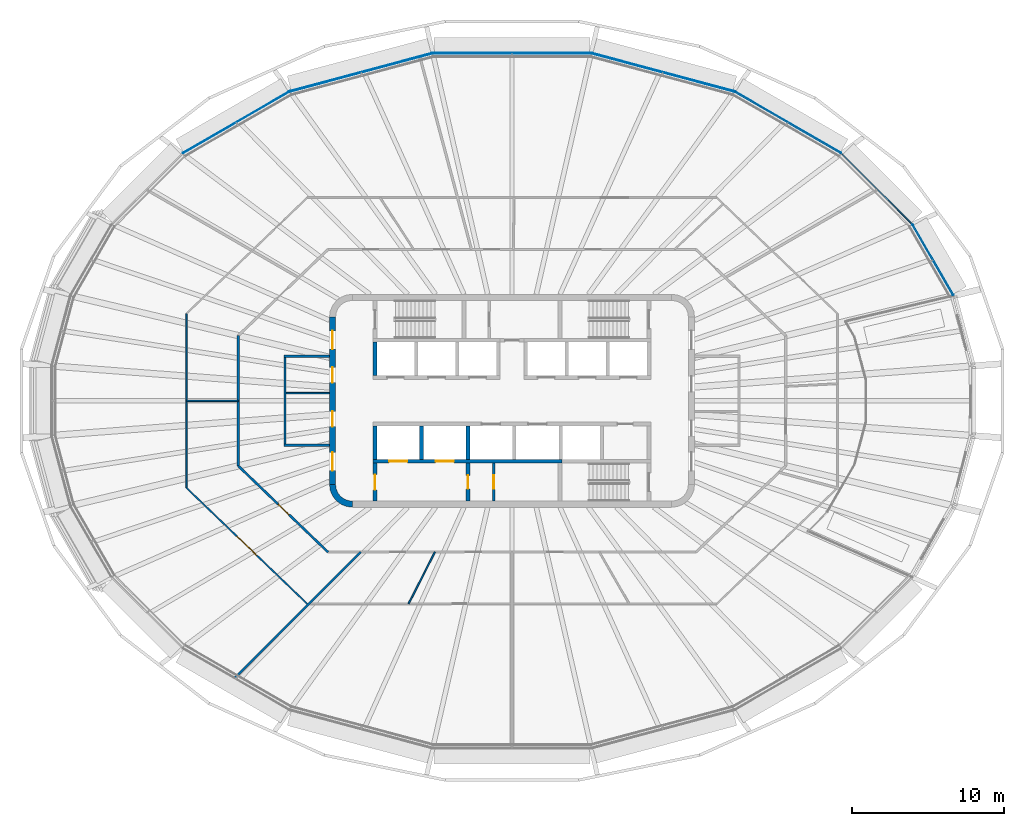
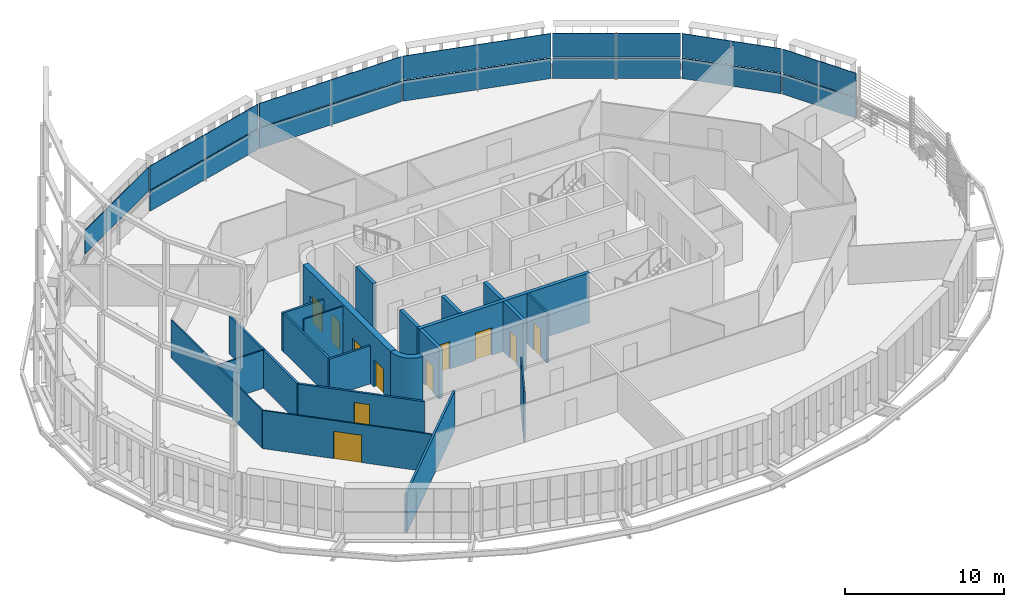
# One storey, part 9 of 21: 21 walls, 13 plates, 11 doors, 11 openings, 7 elements without a shape of their own.
"""IFC4 building model written with IfcOpenShell, lengths in metres."""

from ifc_helpers import new_model, si_unit, direction, frame, frame_2d, origin, place, context, subcontext, project, spatial, polyline, rectangle, outline, extrude, material, layer, layer_set, type_object, element, fill, aggregate, save


model = new_model("IFC4")

# Units and contexts
model_context = context("Model", 3, precision=1e-05, world=origin(), true_north=direction((0.0, 1.0)))
body_context = subcontext(model_context, "Body", "Model", "MODEL_VIEW")
ifc_project = project(units=[si_unit("LENGTHUNIT", "METRE"), si_unit("AREAUNIT", "SQUARE_METRE"), si_unit("VOLUMEUNIT", "CUBIC_METRE"), si_unit("PLANEANGLEUNIT", "RADIAN"), si_unit("MASSUNIT", "GRAM", prefix="KILO")], contexts=[model_context])

# Site, building, storey
site_placement = place(None, origin())
site = spatial("IfcSite", under=ifc_project, at=site_placement, CompositionType="ELEMENT")
building_placement = place(site_placement, origin())
building = spatial("IfcBuilding", under=site, at=building_placement, Name="Sahrelin Media Tower", CompositionType="ELEMENT")
storey_placement = place(building_placement, frame((0.0, 0.0, 259.0)))
storey = spatial("IfcBuildingStorey", under=building, at=storey_placement, Name="L56", CompositionType="ELEMENT", Elevation=259.0)

# Curtain wall, plate
ifc_material_1 = material(Name="Champagne anodised aluminium 6063-T6", Category="aluminium")
ifc_layer_1 = layer(ifc_material_1, 0.14990234375)
ifc_layer_set_1 = layer_set([ifc_layer_1], Name="Tower ribbon curtain wall")
curtain_wall_type = type_object("IfcCurtainWallType", Name="Tower ribbon curtain wall", PredefinedType="NOTDEFINED", material=ifc_layer_set_1)
curtain_wall_1_placement = place(storey_placement, frame((27.679443359375, 9.261474609375, 0.0), z_axis=(0.0, 0.0, 1.0), x_axis=(1.0, 0.0, 0.0)))
curtain_wall_1 = element("IfcCurtainWall", 1, at=curtain_wall_1_placement, inside=storey, type_object=curtain_wall_type, Name="L56:CW:L56-02", PredefinedType="NOTDEFINED")
ifc_material_2 = material(Name="Clear low-iron glazing", Category="glass")
ifc_layer_2 = layer(ifc_material_2, 0.048095703125)
ifc_layer_set_2 = layer_set([ifc_layer_2], Name="Glazing panel 48 mm CW1C")
plate_type_1 = type_object("IfcPlateType", Name="Glazing panel 48 mm CW1C", PredefinedType="CURTAIN_PANEL", material=ifc_layer_set_2)
plate_1_placement = place(storey_placement, frame((29.02978515625, 6.962890625, 1.6298828125), z_axis=(0.866022395588, 0.500005210312, 0.0), x_axis=(-0.500005210312, 0.866022395588, 0.0)))
plate_1 = element("IfcPlate", 2, at=plate_1_placement, type_object=plate_type_1, Name="L56:CWP2:L56-02", PredefinedType="CURTAIN_PANEL", context=body_context, shape_type="SweptSolid", body=[
    extrude(outline(polyline([(0.0, 0.0), (5.33154296875, 0.0), (5.33154296875, 1.818603515625), (0.0, 1.818603515625), (0.0, 0.0)])), origin(), (0.0, 0.0, -1.0), 0.048095703125),
])

curtain_wall_2_placement = place(storey_placement, frame((23.997314453125, 13.9375, 0.0), z_axis=(0.0, 0.0, 1.0), x_axis=(1.0, 0.0, 0.0)))
curtain_wall_2 = element("IfcCurtainWall", 3, at=curtain_wall_2_placement, inside=storey, type_object=curtain_wall_type, Name="L56:CW:L56-03", PredefinedType="NOTDEFINED")
plate_2_placement = place(storey_placement, frame((26.300537109375, 11.662841796875, 1.6298828125), z_axis=(0.707106781187, 0.707106781187, 0.0), x_axis=(-0.707106781187, 0.707106781187, 0.0)))
plate_2 = element("IfcPlate", 4, at=plate_2_placement, type_object=plate_type_1, Name="L56:CWP2:L56-03", PredefinedType="CURTAIN_PANEL", context=body_context, shape_type="SweptSolid", body=[
    extrude(outline(polyline([(0.0, 0.0), (6.47412109375, 0.0), (6.47412109375, 1.818603515625), (0.0, 1.818603515625), (0.0, 0.0)])), origin(), (0.0, 0.0, -1.0), 0.048095703125),
])

curtain_wall_3_placement = place(storey_placement, frame((18.14208984375, 18.300537109375, 0.0), z_axis=(0.0, 0.0, 1.0), x_axis=(1.0, 0.0, 0.0)))
curtain_wall_3 = element("IfcCurtainWall", 5, at=curtain_wall_3_placement, inside=storey, type_object=curtain_wall_type, Name="L56:CW:L56-04", PredefinedType="NOTDEFINED")
plate_3_placement = place(storey_placement, frame((21.639892578125, 16.30419921875, 1.6298828125), z_axis=(0.499998820369, 0.866026084844, 0.0), x_axis=(-0.866026084844, 0.499998820369, 0.0)))
plate_3 = element("IfcPlate", 6, at=plate_3_placement, type_object=plate_type_1, Name="L56:CWP2:L56-04", PredefinedType="CURTAIN_PANEL", context=body_context, shape_type="SweptSolid", body=[
    extrude(outline(polyline([(0.0, 0.0), (8.0546875, 0.0), (8.0546875, 1.818603515625), (0.0, 1.818603515625), (0.0, 0.0)])), origin(), (0.0, 0.0, -1.0), 0.048095703125),
])

curtain_wall_4_placement = place(storey_placement, frame((9.912109375, 21.598388671875, 0.0), z_axis=(0.0, 0.0, 1.0), x_axis=(1.0, 0.0, 0.0)))
curtain_wall_4 = element("IfcCurtainWall", 7, at=curtain_wall_4_placement, inside=storey, type_object=curtain_wall_type, Name="L56:CW:L56-05", PredefinedType="NOTDEFINED")
plate_4_placement = place(storey_placement, frame((14.56787109375, 20.37158203125, 1.6298828125), z_axis=(0.258811278244, 0.965927907379, 0.0), x_axis=(-0.965927907379, 0.258811278244, 0.0)))
plate_4 = element("IfcPlate", 8, at=plate_4_placement, type_object=plate_type_1, Name="L56:CWP2:L56-05", PredefinedType="CURTAIN_PANEL", context=body_context, shape_type="SweptSolid", body=[
    extrude(outline(polyline([(0.0, 0.0), (9.62939453125, 0.0), (9.62939453125, 1.818603515625), (0.0, 1.818603515625), (0.0, 0.0)])), origin(), (0.0, 0.0, -1.0), 0.048095703125),
])

curtain_wall_5_placement = place(storey_placement, frame((0.0, 22.857421875, 0.0), z_axis=(0.0, 0.0, 1.0), x_axis=(1.0, 0.0, 0.0)))
curtain_wall_5 = element("IfcCurtainWall", 9, at=curtain_wall_5_placement, inside=storey, type_object=curtain_wall_type, Name="L56:CW:L56-06", PredefinedType="NOTDEFINED")
plate_5_placement = place(storey_placement, frame((5.1630859375, 22.87744140625, 1.6298828125), z_axis=(0.0, 1.0, 0.0), x_axis=(-1.0, 0.0, 0.0)))
plate_5 = element("IfcPlate", 10, at=plate_5_placement, type_object=plate_type_1, Name="L56:CWP2:L56-06", PredefinedType="CURTAIN_PANEL", context=body_context, shape_type="SweptSolid", body=[
    extrude(outline(polyline([(0.0, 0.0), (10.326171875, 0.0), (10.326171875, 1.818603515625), (0.0, 1.818603515625), (0.0, 0.0)])), origin(), (0.0, 0.0, -1.0), 0.048095703125),
])

curtain_wall_6_placement = place(storey_placement, frame((-9.912109375, 21.598388671875, 0.0), z_axis=(0.0, 0.0, 1.0), x_axis=(1.0, 0.0, 0.0)))
curtain_wall_6 = element("IfcCurtainWall", 11, at=curtain_wall_6_placement, inside=storey, type_object=curtain_wall_type, Name="L56:CW:L56-07", PredefinedType="NOTDEFINED")
plate_6_placement = place(storey_placement, frame((-5.2666015625, 22.86376953125, 1.6298828125), z_axis=(-0.258811278244, 0.965927907379, 0.0), x_axis=(-0.965927907379, -0.258811278244, 0.0)))
plate_6 = element("IfcPlate", 12, at=plate_6_placement, type_object=plate_type_1, Name="L56:CWP2:L56-07", PredefinedType="CURTAIN_PANEL", context=body_context, shape_type="SweptSolid", body=[
    extrude(outline(polyline([(0.0, 0.0), (9.62939453125, 0.0), (9.62939453125, 1.818603515625), (0.0, 1.818603515625), (0.0, 0.0)])), origin(), (0.0, 0.0, -1.0), 0.048095703125),
])

curtain_wall_7_placement = place(storey_placement, frame((-18.14208984375, 18.300537109375, 0.0), z_axis=(0.0, 0.0, 1.0), x_axis=(1.0, 0.0, 0.0)))
curtain_wall_7 = element("IfcCurtainWall", 13, at=curtain_wall_7_placement, inside=storey, type_object=curtain_wall_type, Name="L56:CW:L56-08", PredefinedType="NOTDEFINED")
plate_7_placement = place(storey_placement, frame((-14.664306640625, 20.33154296875, 1.6298828125), z_axis=(-0.499998820369, 0.866026084844, 0.0), x_axis=(-0.866026084844, -0.499998820369, 0.0)))
plate_7 = element("IfcPlate", 14, at=plate_7_placement, type_object=plate_type_1, Name="L56:CWP2:L56-08", PredefinedType="CURTAIN_PANEL", context=body_context, shape_type="SweptSolid", body=[
    extrude(outline(polyline([(0.0, 0.0), (8.0546875, 0.0), (8.0546875, 1.818603515625), (0.0, 1.818603515625), (0.0, 0.0)])), origin(), (0.0, 0.0, -1.0), 0.048095703125),
])
aggregate(curtain_wall_7, [plate_7])

# Plate
ifc_material_3 = material(Name="Insulated spandrel panel")
ifc_layer_3 = layer(ifc_material_3, 0.06005859375)
ifc_layer_set_3 = layer_set([ifc_layer_3], Name="Spandrel panel 60 mm CW1")
plate_type_2 = type_object("IfcPlateType", Name="Spandrel panel 60 mm CW1", PredefinedType="SHEET", material=ifc_layer_set_3)
plate_8_placement = place(storey_placement, frame((29.02978515625, 6.962890625, 0.0), z_axis=(0.866022395588, 0.500005210312, 0.0), x_axis=(-0.500005210312, 0.866022395588, 0.0)))
plate_8 = element("IfcPlate", 15, at=plate_8_placement, type_object=plate_type_2, Name="L56:CWP1:L56-02", PredefinedType="SHEET", context=body_context, shape_type="SweptSolid", body=[
    extrude(outline(polyline([(0.0, 0.0), (5.33154296875, 0.0), (5.33154296875, 1.570068359375), (0.0, 1.570068359375), (0.0, 0.0)])), origin(), (0.0, 0.0, -1.0), 0.06005859375),
])

aggregate(curtain_wall_1, [plate_8, plate_1])

plate_9_placement = place(storey_placement, frame((26.300537109375, 11.662841796875, 0.0), z_axis=(0.707106781187, 0.707106781187, 0.0), x_axis=(-0.707106781187, 0.707106781187, 0.0)))
plate_9 = element("IfcPlate", 16, at=plate_9_placement, type_object=plate_type_2, Name="L56:CWP1:L56-03", PredefinedType="SHEET", context=body_context, shape_type="SweptSolid", body=[
    extrude(outline(polyline([(0.0, 0.0), (6.47412109375, 0.0), (6.47412109375, 1.570068359375), (0.0, 1.570068359375), (0.0, 0.0)])), origin(), (0.0, 0.0, -1.0), 0.06005859375),
])

aggregate(curtain_wall_2, [plate_9, plate_2])

plate_10_placement = place(storey_placement, frame((21.639892578125, 16.30419921875, 0.0), z_axis=(0.499998820369, 0.866026084844, 0.0), x_axis=(-0.866026084844, 0.499998820369, 0.0)))
plate_10 = element("IfcPlate", 17, at=plate_10_placement, type_object=plate_type_2, Name="L56:CWP1:L56-04", PredefinedType="SHEET", context=body_context, shape_type="SweptSolid", body=[
    extrude(outline(polyline([(0.0, 0.0), (8.0546875, 0.0), (8.0546875, 1.570068359375), (0.0, 1.570068359375), (0.0, 0.0)])), origin(), (0.0, 0.0, -1.0), 0.06005859375),
])

aggregate(curtain_wall_3, [plate_10, plate_3])

plate_11_placement = place(storey_placement, frame((14.56787109375, 20.37158203125, 0.0), z_axis=(0.258811278244, 0.965927907379, 0.0), x_axis=(-0.965927907379, 0.258811278244, 0.0)))
plate_11 = element("IfcPlate", 18, at=plate_11_placement, type_object=plate_type_2, Name="L56:CWP1:L56-05", PredefinedType="SHEET", context=body_context, shape_type="SweptSolid", body=[
    extrude(outline(polyline([(0.0, 0.0), (9.62939453125, 0.0), (9.62939453125, 1.570068359375), (0.0, 1.570068359375), (0.0, 0.0)])), origin(), (0.0, 0.0, -1.0), 0.06005859375),
])

aggregate(curtain_wall_4, [plate_11, plate_4])

plate_12_placement = place(storey_placement, frame((5.1630859375, 22.87744140625, 0.0), z_axis=(0.0, 1.0, 0.0), x_axis=(-1.0, 0.0, 0.0)))
plate_12 = element("IfcPlate", 19, at=plate_12_placement, type_object=plate_type_2, Name="L56:CWP1:L56-06", PredefinedType="SHEET", context=body_context, shape_type="SweptSolid", body=[
    extrude(outline(polyline([(0.0, 0.0), (10.326171875, 0.0), (10.326171875, 1.570068359375), (0.0, 1.570068359375), (0.0, 0.0)])), origin(), (0.0, 0.0, -1.0), 0.06005859375),
])

aggregate(curtain_wall_5, [plate_12, plate_5])

plate_13_placement = place(storey_placement, frame((-5.2666015625, 22.86376953125, 0.0), z_axis=(-0.258811278244, 0.965927907379, 0.0), x_axis=(-0.965927907379, -0.258811278244, 0.0)))
plate_13 = element("IfcPlate", 20, at=plate_13_placement, type_object=plate_type_2, Name="L56:CWP1:L56-07", PredefinedType="SHEET", context=body_context, shape_type="SweptSolid", body=[
    extrude(outline(polyline([(0.0, 0.0), (9.62939453125, 0.0), (9.62939453125, 1.570068359375), (0.0, 1.570068359375), (0.0, 0.0)])), origin(), (0.0, 0.0, -1.0), 0.06005859375),
])

aggregate(curtain_wall_6, [plate_13, plate_6])

# Wall, openings, doors
ifc_material_4 = material(Name="Concrete C60/75", Category="concrete")
ifc_layer_4 = layer(ifc_material_4, 0.39990234375)
ifc_layer_set_4 = layer_set([ifc_layer_4], Name="Core wall 400")
wall_type_1 = type_object("IfcWallType", Name="Core wall 400", PredefinedType="SHEAR", material=ifc_layer_set_4)
wall_1_placement = place(storey_placement, frame((-11.800048828125, -5.5, 0.0), z_axis=(0.0, 0.0, 1.0), x_axis=(0.0, 1.0, 0.0)))
wall_1 = element("IfcWall", 21, at=wall_1_placement, inside=storey, type_object=wall_type_1, Name="Core wall W L56", PredefinedType="SHEAR", context=body_context, shape_type="SweptSolid", body=[
    extrude(rectangle(XDim=11.0, YDim=0.39990234375, at=frame_2d((5.5, 0.0))), origin(), (0.0, 0.0, 1.0), 4.0),
])
opening_1_placement = place(wall_1_placement, frame((3.800048828125, 0.0, 0.0)))
opening_1 = element("IfcOpeningElement", 22, at=opening_1_placement, cuts=wall_1, Name="Opening L56-D10", PredefinedType="OPENING", context=body_context, shape_type="SweptSolid", body=[
    extrude(rectangle(XDim=1.0, YDim=2.10009765625, at=frame_2d((0.5, 1.050048828125))), frame((0.0, 0.199951171875, 0.0), z_axis=(0.0, -1.0, 0.0), x_axis=(1.0, 0.0, 0.0)), (0.0, 0.0, 1.0), 0.39990234375),
])
opening_2_placement = place(wall_1_placement, frame((6.699951171875, 0.0, 0.0)))
opening_2 = element("IfcOpeningElement", 23, at=opening_2_placement, cuts=wall_1, Name="Opening L56-D11", PredefinedType="OPENING", context=body_context, shape_type="SweptSolid", body=[
    extrude(rectangle(XDim=1.0, YDim=2.10009765625, at=frame_2d((0.5, 1.050048828125))), frame((0.0, 0.199951171875, 0.0), z_axis=(0.0, -1.0, 0.0), x_axis=(1.0, 0.0, 0.0)), (0.0, 0.0, 1.0), 0.39990234375),
])
opening_3_placement = place(wall_1_placement, frame((0.89990234375, 0.0, 0.0)))
opening_3 = element("IfcOpeningElement", 24, at=opening_3_placement, cuts=wall_1, Name="Opening L56-D14", PredefinedType="OPENING", context=body_context, shape_type="SweptSolid", body=[
    extrude(rectangle(XDim=1.199951171875, YDim=2.10009765625, at=frame_2d((0.60009765625, 1.050048828125))), frame((0.0, 0.199951171875, 0.0), z_axis=(0.0, -1.0, 0.0), x_axis=(1.0, 0.0, 0.0)), (0.0, 0.0, 1.0), 0.39990234375),
])
opening_4_placement = place(wall_1_placement, frame((8.89990234375, 0.0, 0.0)))
opening_4 = element("IfcOpeningElement", 25, at=opening_4_placement, cuts=wall_1, Name="Opening L56-D15", PredefinedType="OPENING", context=body_context, shape_type="SweptSolid", body=[
    extrude(rectangle(XDim=1.199951171875, YDim=2.10009765625, at=frame_2d((0.60009765625, 1.050048828125))), frame((0.0, 0.199951171875, 0.0), z_axis=(0.0, -1.0, 0.0), x_axis=(1.0, 0.0, 0.0)), (0.0, 0.0, 1.0), 0.39990234375),
])
ifc_material_5 = material(Name="Steel fire door leaf", Category="steel")
door_type_1 = type_object("IfcDoorType", Name="Fire door 1000 x 2100 EI 60", OperationType="NOTDEFINED", PredefinedType="DOOR", material=ifc_material_5)
door_1_placement = place(opening_1_placement, origin())
door_1 = element("IfcDoor", 26, at=door_1_placement, inside=storey, type_object=door_type_1, Name="Core room door", OperationType="SINGLE_SWING_RIGHT", OverallHeight=2.10009765625, OverallWidth=1.0, PredefinedType="DOOR", context=body_context, shape_type="SweptSolid", body=[
    extrude(rectangle(XDim=1.0, YDim=2.10009765625, at=frame_2d((0.5, 1.050048828125))), frame((0.0, 0.02490234375, 0.0), z_axis=(0.0, -1.0, 0.0), x_axis=(1.0, 0.0, 0.0)), (0.0, 0.0, 1.0), 0.050048828125),
])
fill(opening_1, door_1)
door_2_placement = place(opening_2_placement, origin())
door_2 = element("IfcDoor", 27, at=door_2_placement, inside=storey, type_object=door_type_1, Name="Core room door", OperationType="SINGLE_SWING_RIGHT", OverallHeight=2.10009765625, OverallWidth=1.0, PredefinedType="DOOR", context=body_context, shape_type="SweptSolid", body=[
    extrude(rectangle(XDim=1.0, YDim=2.10009765625, at=frame_2d((0.5, 1.050048828125))), frame((0.0, 0.02490234375, 0.0), z_axis=(0.0, -1.0, 0.0), x_axis=(1.0, 0.0, 0.0)), (0.0, 0.0, 1.0), 0.050048828125),
])
fill(opening_2, door_2)
door_type_2 = type_object("IfcDoorType", Name="Lobby door 1200 x 2100 EI 60", OperationType="NOTDEFINED", PredefinedType="DOOR", material=ifc_material_5)
door_3_placement = place(opening_3_placement, origin())
door_3 = element("IfcDoor", 28, at=door_3_placement, inside=storey, type_object=door_type_2, Name="Lobby door", OperationType="SINGLE_SWING_LEFT", OverallHeight=2.10009765625, OverallWidth=1.199951171875, PredefinedType="DOOR", context=body_context, shape_type="SweptSolid", body=[
    extrude(rectangle(XDim=1.199951171875, YDim=2.10009765625, at=frame_2d((0.60009765625, 1.050048828125))), frame((0.0, 0.02490234375, 0.0), z_axis=(0.0, -1.0, 0.0), x_axis=(1.0, 0.0, 0.0)), (0.0, 0.0, 1.0), 0.050048828125),
])
fill(opening_3, door_3)
door_4_placement = place(opening_4_placement, origin())
door_4 = element("IfcDoor", 29, at=door_4_placement, inside=storey, type_object=door_type_2, Name="Lobby door", OperationType="SINGLE_SWING_LEFT", OverallHeight=2.10009765625, OverallWidth=1.199951171875, PredefinedType="DOOR", context=body_context, shape_type="SweptSolid", body=[
    extrude(rectangle(XDim=1.199951171875, YDim=2.10009765625, at=frame_2d((0.60009765625, 1.050048828125))), frame((0.0, 0.02490234375, 0.0), z_axis=(0.0, -1.0, 0.0), x_axis=(1.0, 0.0, 0.0)), (0.0, 0.0, 1.0), 0.050048828125),
])
fill(opening_4, door_4)

# Walls
wall_2_placement = place(storey_placement, origin())
element("IfcWall", 30, at=wall_2_placement, inside=storey, type_object=wall_type_1, Name="Core wall corner SW L56", PredefinedType="SHEAR", context=body_context, shape_type="SweptSolid", body=[
    extrude(outline(polyline([(-10.5, -7.0), (-10.5, -6.596435546875), (-10.78369140625, -6.55908203125), (-11.04833984375, -6.44970703125), (-11.275390625, -6.275390625), (-11.44970703125, -6.04833984375), (-11.55908203125, -5.78369140625), (-11.596435546875, -5.5), (-12.0, -5.5), (-11.948974609375, -5.88818359375), (-11.799072265625, -6.25), (-11.560791015625, -6.560791015625), (-11.25, -6.799072265625), (-10.88818359375, -6.948974609375), (-10.5, -7.0)])), origin(), (0.0, 0.0, 1.0), 4.0),
])
ifc_material_6 = material(Name="Fire-rated gypsum board partition")
ifc_layer_5 = layer(ifc_material_6, 0.10009765625)
ifc_layer_set_5 = layer_set([ifc_layer_5], Name="Fire-rated partition 100")
wall_type_2 = type_object("IfcWallType", Name="Fire-rated partition 100", PredefinedType="PARTITIONING", material=ifc_layer_set_5)
wall_3_placement = place(storey_placement, frame((-14.85009765625, 0.5, 0.0), z_axis=(0.0, 0.0, 1.0), x_axis=(1.0, 0.0, 0.0)))
element("IfcWall", 31, at=wall_3_placement, inside=storey, type_object=wall_type_2, Name="Core room partition", PredefinedType="PARTITIONING", context=body_context, shape_type="SweptSolid", body=[
    extrude(rectangle(XDim=2.85009765625, YDim=0.10009765625, at=frame_2d((1.425048828125, 0.0))), origin(), (0.0, 0.0, 1.0), 3.85009765625),
])

# Wall, opening, door
ifc_layer_6 = layer(ifc_material_6, 0.14990234375)
ifc_layer_set_6 = layer_set([ifc_layer_6], Name="Fire-rated partition 150")
wall_type_3 = type_object("IfcWallType", Name="Fire-rated partition 150", PredefinedType="PARTITIONING", material=ifc_layer_set_6)
wall_4_placement = place(storey_placement, frame((-1.199951171875, -6.60009765625, 0.0), z_axis=(0.0, 0.0, 1.0), x_axis=(0.0, 1.0, 0.0)))
wall_4 = element("IfcWall", 32, at=wall_4_placement, inside=storey, type_object=wall_type_3, Name="Core room fire partition", PredefinedType="PARTITIONING", context=body_context, shape_type="SweptSolid", body=[
    extrude(rectangle(XDim=2.5, YDim=0.14990234375, at=frame_2d((1.25, 0.0))), origin(), (0.0, 0.0, 1.0), 3.85009765625),
])
opening_5_placement = place(wall_4_placement, frame((0.800048828125, 0.0, 0.0)))
opening_5 = element("IfcOpeningElement", 33, at=opening_5_placement, cuts=wall_4, Name="Opening L56-D08", PredefinedType="OPENING", context=body_context, shape_type="SweptSolid", body=[
    extrude(rectangle(XDim=0.89990234375, YDim=2.10009765625, at=frame_2d((0.449951171875, 1.050048828125))), frame((0.0, 0.074951171875, 0.0), z_axis=(0.0, -1.0, 0.0), x_axis=(1.0, 0.0, 0.0)), (0.0, 0.0, 1.0), 0.14990234375),
])
door_type_3 = type_object("IfcDoorType", Name="Fire door 900 x 2100 EI 60", OperationType="NOTDEFINED", PredefinedType="DOOR", material=ifc_material_5)
door_5_placement = place(opening_5_placement, origin())
door_5 = element("IfcDoor", 34, at=door_5_placement, inside=storey, type_object=door_type_3, Name="Core room door", OperationType="SINGLE_SWING_RIGHT", OverallHeight=2.10009765625, OverallWidth=0.89990234375, PredefinedType="DOOR", context=body_context, shape_type="SweptSolid", body=[
    extrude(rectangle(XDim=0.89990234375, YDim=2.10009765625, at=frame_2d((0.449951171875, 1.050048828125))), frame((0.0, 0.02490234375, 0.0), z_axis=(0.0, -1.0, 0.0), x_axis=(1.0, 0.0, 0.0)), (0.0, 0.0, 1.0), 0.050048828125),
])
fill(opening_5, door_5)

# Walls
wall_5_placement = place(storey_placement, frame((-14.925048828125, -2.85009765625, 0.0), z_axis=(0.0, 0.0, 1.0), x_axis=(0.0, 1.0, 0.0)))
element("IfcWall", 35, at=wall_5_placement, inside=storey, type_object=wall_type_3, Name="Core room fire partition", PredefinedType="PARTITIONING", context=body_context, shape_type="SweptSolid", body=[
    extrude(rectangle(XDim=5.7001953125, YDim=0.14990234375, at=frame_2d((2.85009765625, 0.0))), origin(), (0.0, 0.0, 1.0), 2.918212890625),
])
for number, where, z_axis, x_axis, name in (
    (36, (-15.0, 2.925048828125, 0.0), (0.0, 0.0, 1.0), (1.0, 0.0, 0.0), "Core room fire partition"),
    (37, (-15.0, -2.925048828125, 0.0), (0.0, 0.0, 1.0), (1.0, 0.0, 0.0), "Core room fire partition"),
):
    element("IfcWall", number, at=place(storey_placement, frame(where, z_axis=z_axis, x_axis=x_axis)), inside=storey, type_object=wall_type_3, Name=name, PredefinedType="PARTITIONING", context=body_context, shape_type="SweptSolid", body=[
        extrude(rectangle(XDim=3.0, YDim=0.14990234375, at=frame_2d((1.5, 0.0))), origin(), (0.0, 0.0, 1.0), 2.918212890625),
    ])

# Wall, opening, door
wall_6_placement = place(storey_placement, frame((-18.0, -4.278076171875, 0.0), z_axis=(0.0, 0.0, 1.0), x_axis=(0.721290181137, -0.692633001376, 0.0)))
wall_6 = element("IfcWall", 38, at=wall_6_placement, inside=storey, type_object=wall_type_3, Name="Wall", PredefinedType="PARTITIONING", context=body_context, shape_type="SweptSolid", body=[
    extrude(rectangle(XDim=8.18701171875, YDim=0.14990234375, at=frame_2d((4.093505859375, 0.0))), origin(), (0.0, 0.0, 1.0), 2.918212890625),
])
opening_6_placement = place(wall_6_placement, frame((3.64501953125, 0.0, 0.0)))
opening_6 = element("IfcOpeningElement", 39, at=opening_6_placement, cuts=wall_6, Name="Opening L56-D26", PredefinedType="OPENING", context=body_context, shape_type="SweptSolid", body=[
    extrude(rectangle(XDim=1.0, YDim=2.10009765625, at=frame_2d((0.5, 1.050048828125))), frame((0.0, 0.074951171875, 0.0), z_axis=(0.0, -1.0, 0.0), x_axis=(1.0, 0.0, 0.0)), (0.0, 0.0, 1.0), 0.14990234375),
])
door_6_placement = place(opening_6_placement, origin())
door_6 = element("IfcDoor", 40, at=door_6_placement, inside=storey, type_object=door_type_1, Name="Fire door", OperationType="SINGLE_SWING_RIGHT", OverallHeight=2.10009765625, OverallWidth=1.0, PredefinedType="DOOR", context=body_context, shape_type="SweptSolid", body=[
    extrude(rectangle(XDim=1.0, YDim=2.10009765625, at=frame_2d((0.5, 1.050048828125))), frame((0.0, 0.02490234375, 0.0), z_axis=(0.0, -1.0, 0.0), x_axis=(1.0, 0.0, 0.0)), (0.0, 0.0, 1.0), 0.050048828125),
])
fill(opening_6, door_6)

# Walls
wall_7_placement = place(storey_placement, frame((-18.241943359375, -18.241943359375, 0.0), z_axis=(0.0, 0.0, 1.0), x_axis=(0.707106781187, 0.707106781187, 0.0)))
element("IfcWall", 41, at=wall_7_placement, inside=storey, type_object=wall_type_3, Name="Wall", PredefinedType="PARTITIONING", context=body_context, shape_type="SweptSolid", body=[
    extrude(rectangle(XDim=11.72802734375, YDim=0.14990234375, at=frame_2d((5.864013671875, 0.0))), origin(), (0.0, 0.0, 1.0), 2.9951171875),
])
wall_8_placement = place(storey_placement, frame((-18.0, -4.278076171875, 0.0), z_axis=(0.0, 0.0, 1.0), x_axis=(0.0, 1.0, 0.0)))
element("IfcWall", 42, at=wall_8_placement, inside=storey, type_object=wall_type_3, Name="Wall", PredefinedType="PARTITIONING", context=body_context, shape_type="SweptSolid", body=[
    extrude(rectangle(XDim=8.55615234375, YDim=0.14990234375, at=frame_2d((4.278076171875, 0.0))), origin(), (0.0, 0.0, 1.0), 2.918212890625),
])

# Wall, opening, door
ifc_layer_7 = layer(ifc_material_6, 0.25)
ifc_layer_set_7 = layer_set([ifc_layer_7], Name="Firefighting lobby wall 250")
wall_type_4 = type_object("IfcWallType", Name="Firefighting lobby wall 250", PredefinedType="PARTITIONING", material=ifc_layer_set_7)
wall_9_placement = place(storey_placement, frame((-9.0, -6.60009765625, 0.0), z_axis=(0.0, 0.0, 1.0), x_axis=(0.0, 1.0, 0.0)))
wall_9 = element("IfcWall", 43, at=wall_9_placement, inside=storey, type_object=wall_type_4, Name="Core wall", PredefinedType="PARTITIONING", context=body_context, shape_type="SweptSolid", body=[
    extrude(rectangle(XDim=2.5, YDim=0.25, at=frame_2d((1.25, 0.0))), origin(), (0.0, 0.0, 1.0), 3.85009765625),
])
opening_7_placement = place(wall_9_placement, frame((0.75, 0.0, 0.0)))
opening_7 = element("IfcOpeningElement", 44, at=opening_7_placement, cuts=wall_9, Name="Opening L56-D04", PredefinedType="OPENING", context=body_context, shape_type="SweptSolid", body=[
    extrude(rectangle(XDim=1.0, YDim=2.10009765625, at=frame_2d((0.5, 1.050048828125))), frame((0.0, 0.125, 0.0), z_axis=(0.0, -1.0, 0.0), x_axis=(1.0, 0.0, 0.0)), (0.0, 0.0, 1.0), 0.25),
])
door_type_4 = type_object("IfcDoorType", Name="Firefighting lobby door 1000 x 2100 EI 120", OperationType="NOTDEFINED", PredefinedType="DOOR", material=ifc_material_5)
door_7_placement = place(opening_7_placement, origin())
door_7 = element("IfcDoor", 45, at=door_7_placement, inside=storey, type_object=door_type_4, Name="Firefighting lobby door", OperationType="SINGLE_SWING_LEFT", OverallHeight=2.10009765625, OverallWidth=1.0, PredefinedType="DOOR", context=body_context, shape_type="SweptSolid", body=[
    extrude(rectangle(XDim=1.0, YDim=2.10009765625, at=frame_2d((0.5, 1.050048828125))), frame((0.0, 0.02490234375, 0.0), z_axis=(0.0, -1.0, 0.0), x_axis=(1.0, 0.0, 0.0)), (0.0, 0.0, 1.0), 0.050048828125),
])
fill(opening_7, door_7)

wall_10_placement = place(storey_placement, frame((-2.89990234375, -6.60009765625, 0.0), z_axis=(0.0, 0.0, 1.0), x_axis=(0.0, 1.0, 0.0)))
wall_10 = element("IfcWall", 46, at=wall_10_placement, inside=storey, type_object=wall_type_4, Name="Core wall", PredefinedType="PARTITIONING", context=body_context, shape_type="SweptSolid", body=[
    extrude(rectangle(XDim=2.5, YDim=0.25, at=frame_2d((1.25, 0.0))), origin(), (0.0, 0.0, 1.0), 3.85009765625),
])
opening_8_placement = place(wall_10_placement, frame((0.800048828125, 0.0, 0.0)))
opening_8 = element("IfcOpeningElement", 47, at=opening_8_placement, cuts=wall_10, Name="Opening L56-D05", PredefinedType="OPENING", context=body_context, shape_type="SweptSolid", body=[
    extrude(rectangle(XDim=0.89990234375, YDim=2.10009765625, at=frame_2d((0.449951171875, 1.050048828125))), frame((0.0, 0.125, 0.0), z_axis=(0.0, -1.0, 0.0), x_axis=(1.0, 0.0, 0.0)), (0.0, 0.0, 1.0), 0.25),
])
door_type_5 = type_object("IfcDoorType", Name="Firefighting lobby door 900 x 2100 EI 120", OperationType="NOTDEFINED", PredefinedType="DOOR", material=ifc_material_5)
door_8_placement = place(opening_8_placement, origin())
door_8 = element("IfcDoor", 48, at=door_8_placement, inside=storey, type_object=door_type_5, Name="Riser door", OperationType="SINGLE_SWING_RIGHT", OverallHeight=2.10009765625, OverallWidth=0.89990234375, PredefinedType="DOOR", context=body_context, shape_type="SweptSolid", body=[
    extrude(rectangle(XDim=0.89990234375, YDim=2.10009765625, at=frame_2d((0.449951171875, 1.050048828125))), frame((0.0, 0.02490234375, 0.0), z_axis=(0.0, -1.0, 0.0), x_axis=(1.0, 0.0, 0.0)), (0.0, 0.0, 1.0), 0.050048828125),
])
fill(opening_8, door_8)

# Wall
ifc_layer_8 = layer(ifc_material_4, 0.25)
ifc_layer_set_8 = layer_set([ifc_layer_8], Name="Lift shaft wall 250")
wall_type_5 = type_object("IfcWallType", Name="Lift shaft wall 250", PredefinedType="SOLIDWALL", material=ifc_layer_set_8)
wall_11_placement = place(storey_placement, frame((-9.0, 1.64990234375, 0.0), z_axis=(0.0, 0.0, 1.0), x_axis=(0.0, 1.0, 0.0)))
element("IfcWall", 49, at=wall_11_placement, inside=storey, type_object=wall_type_5, Name="Lift shaft wall", PredefinedType="SOLIDWALL", context=body_context, shape_type="SweptSolid", body=[
    extrude(rectangle(XDim=2.2001953125, YDim=0.25, at=frame_2d((1.10009765625, 0.0))), origin(), (0.0, 0.0, 1.0), 3.85009765625),
])

# Wall, openings, doors
wall_12_placement = place(storey_placement, frame((-9.125, -3.97509765625, 0.0), z_axis=(0.0, 0.0, 1.0), x_axis=(1.0, 0.0, 0.0)))
wall_12 = element("IfcWall", 50, at=wall_12_placement, inside=storey, type_object=wall_type_5, Name="Lift shaft wall", PredefinedType="SOLIDWALL", context=body_context, shape_type="SweptSolid", body=[
    extrude(rectangle(XDim=12.39990234375, YDim=0.25, at=frame_2d((6.199951171875, 0.0))), origin(), (0.0, 0.0, 1.0), 3.85009765625),
])
opening_9_placement = place(wall_12_placement, frame((1.050048828125, 0.0, 0.0)))
opening_9 = element("IfcOpeningElement", 51, at=opening_9_placement, cuts=wall_12, Name="Opening L56-LD-FF1", PredefinedType="OPENING", context=body_context, shape_type="SweptSolid", body=[
    extrude(rectangle(XDim=1.199951171875, YDim=2.10009765625, at=frame_2d((0.60009765625, 1.050048828125))), frame((0.0, 0.125, 0.0), z_axis=(0.0, -1.0, 0.0), x_axis=(1.0, 0.0, 0.0)), (0.0, 0.0, 1.0), 0.25),
])
opening_10_placement = place(wall_12_placement, frame((4.10009765625, 0.0, 0.0)))
opening_10 = element("IfcOpeningElement", 52, at=opening_10_placement, cuts=wall_12, Name="Opening L56-LD-FF2", PredefinedType="OPENING", context=body_context, shape_type="SweptSolid", body=[
    extrude(rectangle(XDim=1.199951171875, YDim=2.10009765625, at=frame_2d((0.60009765625, 1.050048828125))), frame((0.0, 0.125, 0.0), z_axis=(0.0, -1.0, 0.0), x_axis=(1.0, 0.0, 0.0)), (0.0, 0.0, 1.0), 0.25),
])
ifc_material_7 = material(Name="Stainless steel", Category="steel")
door_type_6 = type_object("IfcDoorType", Name="Lift landing door 1200 x 2100 EI 120", OperationType="DOUBLE_DOOR_SLIDING", PredefinedType="DOOR", material=ifc_material_7)
door_9_placement = place(opening_9_placement, origin())
door_9 = element("IfcDoor", 53, at=door_9_placement, inside=storey, type_object=door_type_6, Name="Lift landing door FF1", OperationType="DOUBLE_DOOR_SLIDING", OverallHeight=2.10009765625, OverallWidth=1.199951171875, PredefinedType="DOOR", context=body_context, shape_type="SweptSolid", body=[
    extrude(rectangle(XDim=1.199951171875, YDim=2.10009765625, at=frame_2d((0.60009765625, 1.050048828125))), frame((0.0, 0.02490234375, 0.0), z_axis=(0.0, -1.0, 0.0), x_axis=(1.0, 0.0, 0.0)), (0.0, 0.0, 1.0), 0.050048828125),
])
fill(opening_9, door_9)
door_10_placement = place(opening_10_placement, origin())
door_10 = element("IfcDoor", 54, at=door_10_placement, inside=storey, type_object=door_type_6, Name="Lift landing door FF2", OperationType="DOUBLE_DOOR_SLIDING", OverallHeight=2.10009765625, OverallWidth=1.199951171875, PredefinedType="DOOR", context=body_context, shape_type="SweptSolid", body=[
    extrude(rectangle(XDim=1.199951171875, YDim=2.10009765625, at=frame_2d((0.60009765625, 1.050048828125))), frame((0.0, 0.02490234375, 0.0), z_axis=(0.0, -1.0, 0.0), x_axis=(1.0, 0.0, 0.0)), (0.0, 0.0, 1.0), 0.050048828125),
])
fill(opening_10, door_10)

# Walls
for number, where, z_axis, x_axis, name in (
    (55, (-9.0, -3.85009765625, 0.0), (0.0, 0.0, 1.0), (0.0, 1.0, 0.0), "Lift shaft wall"),
    (56, (-5.949951171875, -3.85009765625, 0.0), (0.0, 0.0, 1.0), (0.0, 1.0, 0.0), "Lift shaft wall"),
    (57, (-2.89990234375, -3.85009765625, 0.0), (0.0, 0.0, 1.0), (0.0, 1.0, 0.0), "Lift shaft wall"),
):
    element("IfcWall", number, at=place(storey_placement, frame(where, z_axis=z_axis, x_axis=x_axis)), inside=storey, type_object=wall_type_5, Name=name, PredefinedType="SOLIDWALL", context=body_context, shape_type="SweptSolid", body=[
        extrude(rectangle(XDim=2.2001953125, YDim=0.25, at=frame_2d((1.10009765625, 0.0))), origin(), (0.0, 0.0, 1.0), 3.85009765625),
    ])

# Wall, opening, door
ifc_material_8 = material(Name="Gypsum board partition")
ifc_layer_9 = layer(ifc_material_8, 0.10009765625)
ifc_layer_set_9 = layer_set([ifc_layer_9], Name="Partition 100")
wall_type_6 = type_object("IfcWallType", Name="Partition 100", PredefinedType="PARTITIONING", material=ifc_layer_set_9)
wall_13_placement = place(storey_placement, frame((-21.39990234375, -5.72705078125, 0.0), z_axis=(0.0, 0.0, 1.0), x_axis=(0.72128312314, -0.692640351317, 0.0)))
wall_13 = element("IfcWall", 58, at=wall_13_placement, inside=storey, type_object=wall_type_6, Name="Wall", PredefinedType="PARTITIONING", context=body_context, shape_type="SweptSolid", body=[
    extrude(rectangle(XDim=11.00390625, YDim=0.10009765625, at=frame_2d((5.501953125, 0.0))), origin(), (0.0, 0.0, 1.0), 2.927001953125),
])
opening_11_placement = place(wall_13_placement, frame((4.6025390625, 0.0, 0.0)))
opening_11 = element("IfcOpeningElement", 59, at=opening_11_placement, cuts=wall_13, Name="Opening L56-D27", PredefinedType="OPENING", context=body_context, shape_type="SweptSolid", body=[
    extrude(rectangle(XDim=1.800048828125, YDim=2.10009765625, at=frame_2d((0.89990234375, 1.050048828125))), frame((0.0, 0.050048828125, 0.0), z_axis=(0.0, -1.0, 0.0), x_axis=(1.0, 0.0, 0.0)), (0.0, 0.0, 1.0), 0.10009765625),
])
ifc_material_9 = material(Name="Timber door leaf", Category="wood")
door_type_7 = type_object("IfcDoorType", Name="Double door 1800 x 2100", OperationType="DOUBLE_DOOR_SINGLE_SWING", PredefinedType="DOOR", material=ifc_material_9)
door_11_placement = place(opening_11_placement, origin())
door_11 = element("IfcDoor", 60, at=door_11_placement, inside=storey, type_object=door_type_7, Name="Double door", OperationType="DOUBLE_DOOR_SINGLE_SWING", OverallHeight=2.10009765625, OverallWidth=1.800048828125, PredefinedType="DOOR", context=body_context, shape_type="SweptSolid", body=[
    extrude(rectangle(XDim=1.800048828125, YDim=2.10009765625, at=frame_2d((0.89990234375, 1.050048828125))), frame((0.0, 0.02490234375, 0.0), z_axis=(0.0, -1.0, 0.0), x_axis=(1.0, 0.0, 0.0)), (0.0, 0.0, 1.0), 0.050048828125),
])
fill(opening_11, door_11)

# Walls
wall_14_placement = place(storey_placement, frame((-21.39990234375, 0.0, 0.0), z_axis=(0.0, 0.0, 1.0), x_axis=(1.0, 0.0, 0.0)))
element("IfcWall", 61, at=wall_14_placement, inside=storey, type_object=wall_type_6, Name="Wall", PredefinedType="PARTITIONING", context=body_context, shape_type="SweptSolid", body=[
    extrude(rectangle(XDim=3.39990234375, YDim=0.10009765625, at=frame_2d((1.699951171875, 0.0))), origin(), (0.0, 0.0, 1.0), 2.927001953125),
])
wall_15_placement = place(storey_placement, frame((-6.802001953125, -13.34912109375, 0.0), z_axis=(0.0, 0.0, 1.0), x_axis=(0.454083899838, 0.890958928295, 0.0)))
element("IfcWall", 62, at=wall_15_placement, inside=storey, type_object=wall_type_6, Name="Wall", PredefinedType="PARTITIONING", context=body_context, shape_type="SweptSolid", body=[
    extrude(rectangle(XDim=3.816162109375, YDim=0.10009765625, at=frame_2d((1.908203125, 0.0))), origin(), (0.0, 0.0, 1.0), 3.85009765625),
])
wall_16_placement = place(storey_placement, frame((-21.39990234375, -5.72705078125, 0.0), z_axis=(0.0, 0.0, 1.0), x_axis=(0.0, 1.0, 0.0)))
element("IfcWall", 63, at=wall_16_placement, inside=storey, type_object=wall_type_6, Name="Wall", PredefinedType="PARTITIONING", context=body_context, shape_type="SweptSolid", body=[
    extrude(rectangle(XDim=11.4541015625, YDim=0.10009765625, at=frame_2d((5.72705078125, 0.0))), origin(), (0.0, 0.0, 1.0), 2.918212890625),
])

save(model, "model.ifc")
